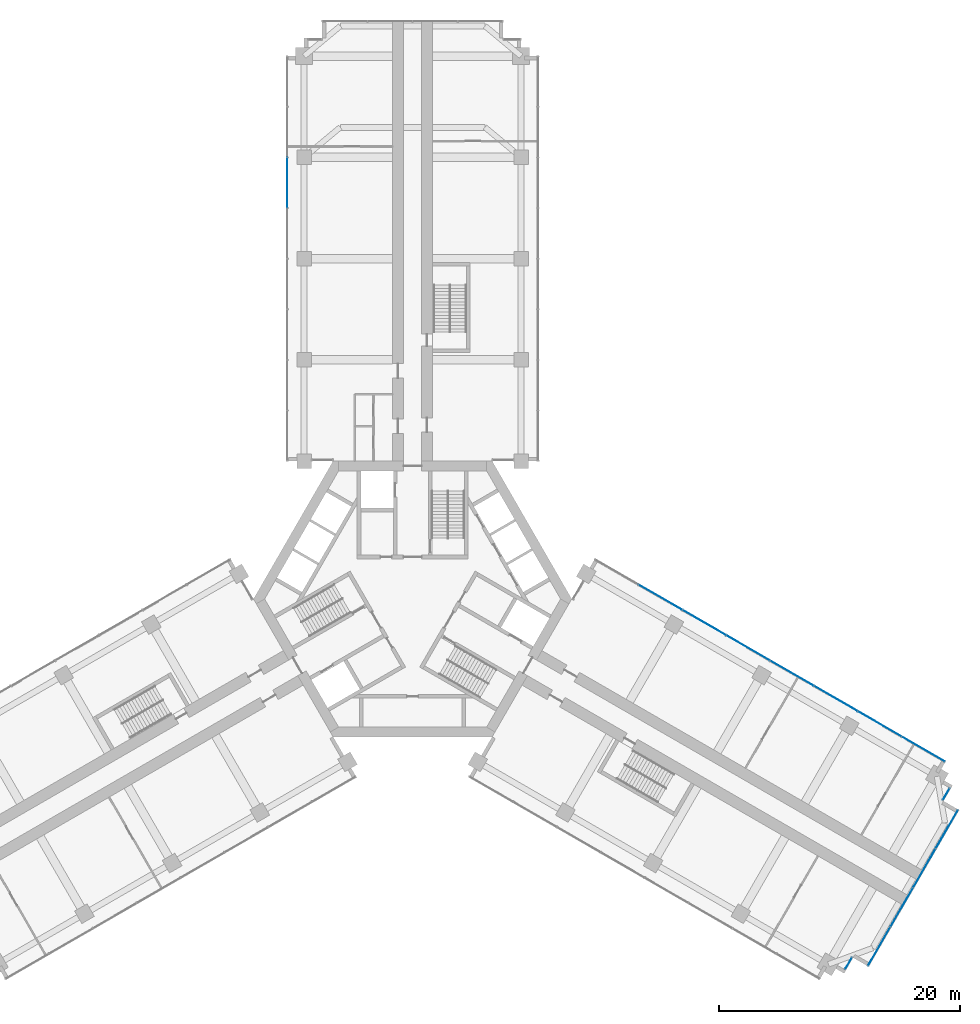
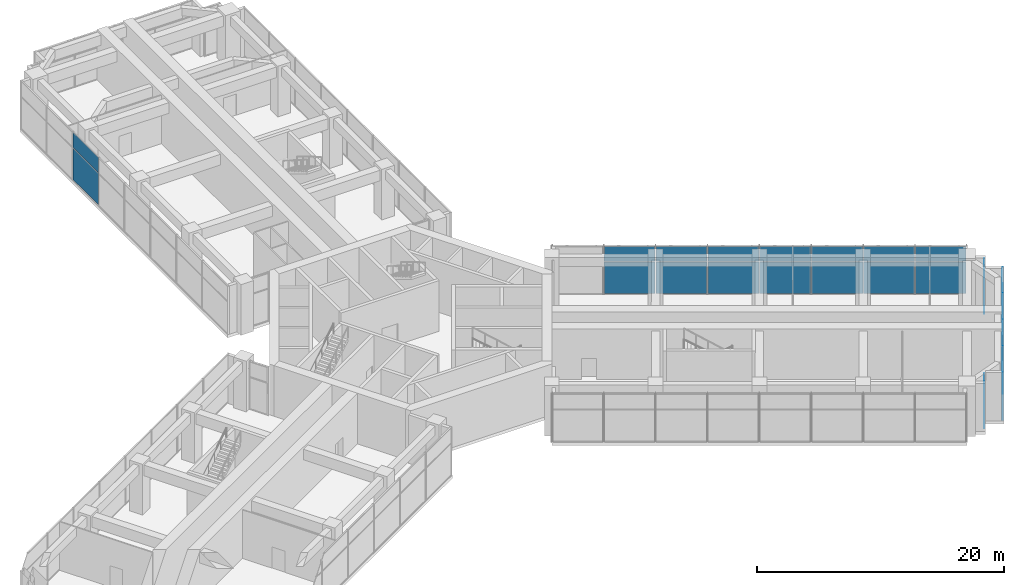
# One storey, part 14 of 20: 28 plates, 5 elements without a shape of their own.
"""IFC4 building model written with IfcOpenShell, lengths in metres."""

from ifc_helpers import new_model, si_unit, direction, frame, origin, origin_2d, place, context, subcontext, project, spatial, rectangle, extrude, material, layer, layer_set, type_object, element, aggregate, save


model = new_model("IFC4")

# Units and contexts
model_context = context("Model", 3, precision=1e-05, world=origin(), true_north=direction((0.0, 1.0)))
body_context = subcontext(model_context, "Body", "Model", "MODEL_VIEW")
ifc_project = project(units=[si_unit("LENGTHUNIT", "METRE"), si_unit("AREAUNIT", "SQUARE_METRE"), si_unit("VOLUMEUNIT", "CUBIC_METRE"), si_unit("PLANEANGLEUNIT", "RADIAN"), si_unit("MASSUNIT", "GRAM", prefix="KILO")], contexts=[model_context])

# Site, building, storey
site_placement = place(None, origin())
site = spatial("IfcSite", under=ifc_project, at=site_placement, CompositionType="ELEMENT")
building_placement = place(site_placement, origin())
building = spatial("IfcBuilding", under=site, at=building_placement, Name="Impinga Residences", CompositionType="ELEMENT")
storey_placement = place(building_placement, frame((0.0, 0.0, 101.0)))
storey = spatial("IfcBuildingStorey", under=building, at=storey_placement, Name="L24", CompositionType="ELEMENT", Elevation=101.0)

# Curtain wall, plates
ifc_material_1 = material(Name="Aluminium stick curtain wall", Category="aluminium")
curtain_wall_type = type_object("IfcCurtainWallType", Name="CW2 sky amenity curtain wall", PredefinedType="USERDEFINED", material=ifc_material_1)
curtain_wall_1_placement = place(storey_placement, origin())
curtain_wall_1 = element("IfcCurtainWall", 1, at=curtain_wall_1_placement, inside=storey, type_object=curtain_wall_type, Name="Curtain wall CW2 L24", ObjectType="STICK CURTAIN WALL", PredefinedType="USERDEFINED")
ifc_material_2 = material(Name="Clear double glazing", Category="glass")
ifc_layer = layer(ifc_material_2, 0.028076171875)
ifc_layer_set = layer_set([ifc_layer], Name="CW2-P clear double glazed panel 28")
plate_type = type_object("IfcPlateType", Name="CW2-P clear double glazed panel 28", PredefinedType="CURTAIN_PANEL", material=ifc_layer_set)
plate_1_placement = place(storey_placement, frame((-10.39990234375, 34.531494140625, 0.06005859375), z_axis=(0.0, 0.0, 1.0), x_axis=(0.0, 1.0, 0.0)))
plate_1 = element("IfcPlate", 2, at=plate_1_placement, type_object=plate_type, Name="CW2 panel 6.1", PredefinedType="CURTAIN_PANEL", context=body_context, shape_type="SweptSolid", body=[
    extrude(rectangle(XDim=4.139892578125, YDim=0.028076171875, at=origin_2d()), origin(), (0.0, 0.0, 1.0), 3.110107421875),
])
plate_2_placement = place(storey_placement, frame((-10.39990234375, 34.531494140625, 3.22998046875), z_axis=(0.0, 0.0, 1.0), x_axis=(0.0, 1.0, 0.0)))
plate_2 = element("IfcPlate", 3, at=plate_2_placement, type_object=plate_type, Name="CW2 panel 6.2", PredefinedType="CURTAIN_PANEL", context=body_context, shape_type="SweptSolid", body=[
    extrude(rectangle(XDim=4.139892578125, YDim=0.028076171875, at=origin_2d()), origin(), (0.0, 0.0, 1.0), 1.489990234375),
])
aggregate(curtain_wall_1, [plate_1, plate_2])

curtain_wall_2_placement = place(storey_placement, origin())
curtain_wall_2 = element("IfcCurtainWall", 4, at=curtain_wall_2_placement, inside=storey, type_object=curtain_wall_type, Name="Curtain wall CW2 L24", ObjectType="STICK CURTAIN WALL", PredefinedType="USERDEFINED")
plate_3_placement = place(storey_placement, frame((20.555908203125, 0.140869140625, 0.06005859375), z_axis=(0.0, 0.0, 1.0), x_axis=(0.866025407005, -0.499999994423, 0.0)))
plate_3 = element("IfcPlate", 5, at=plate_3_placement, type_object=plate_type, Name="CW2 panel 2.1", PredefinedType="CURTAIN_PANEL", context=body_context, shape_type="SweptSolid", body=[
    extrude(rectangle(XDim=4.139892578125, YDim=0.028076171875, at=origin_2d()), origin(), (0.0, 0.0, 1.0), 3.110107421875),
])
plate_4_placement = place(storey_placement, frame((20.555908203125, 0.140869140625, 3.22998046875), z_axis=(0.0, 0.0, 1.0), x_axis=(0.866025407005, -0.499999994423, 0.0)))
plate_4 = element("IfcPlate", 6, at=plate_4_placement, type_object=plate_type, Name="CW2 panel 2.2", PredefinedType="CURTAIN_PANEL", context=body_context, shape_type="SweptSolid", body=[
    extrude(rectangle(XDim=4.139892578125, YDim=0.028076171875, at=origin_2d()), origin(), (0.0, 0.0, 1.0), 1.489990234375),
])
plate_5_placement = place(storey_placement, frame((24.193359375, -1.958984375, 0.06005859375), z_axis=(0.0, 0.0, 1.0), x_axis=(0.866025407005, -0.499999994423, 0.0)))
plate_5 = element("IfcPlate", 7, at=plate_5_placement, type_object=plate_type, Name="CW2 panel 3.1", PredefinedType="CURTAIN_PANEL", context=body_context, shape_type="SweptSolid", body=[
    extrude(rectangle(XDim=4.139892578125, YDim=0.028076171875, at=origin_2d()), origin(), (0.0, 0.0, 1.0), 3.110107421875),
])
plate_6_placement = place(storey_placement, frame((24.193359375, -1.958984375, 3.22998046875), z_axis=(0.0, 0.0, 1.0), x_axis=(0.866025407005, -0.499999994423, 0.0)))
plate_6 = element("IfcPlate", 8, at=plate_6_placement, type_object=plate_type, Name="CW2 panel 3.2", PredefinedType="CURTAIN_PANEL", context=body_context, shape_type="SweptSolid", body=[
    extrude(rectangle(XDim=4.139892578125, YDim=0.028076171875, at=origin_2d()), origin(), (0.0, 0.0, 1.0), 1.489990234375),
])
plate_7_placement = place(storey_placement, frame((27.83056640625, -4.05908203125, 0.06005859375), z_axis=(0.0, 0.0, 1.0), x_axis=(0.866025407005, -0.499999994423, 0.0)))
plate_7 = element("IfcPlate", 9, at=plate_7_placement, type_object=plate_type, Name="CW2 panel 4.1", PredefinedType="CURTAIN_PANEL", context=body_context, shape_type="SweptSolid", body=[
    extrude(rectangle(XDim=4.139892578125, YDim=0.028076171875, at=origin_2d()), origin(), (0.0, 0.0, 1.0), 3.110107421875),
])
plate_8_placement = place(storey_placement, frame((27.83056640625, -4.05908203125, 3.22998046875), z_axis=(0.0, 0.0, 1.0), x_axis=(0.866025407005, -0.499999994423, 0.0)))
plate_8 = element("IfcPlate", 10, at=plate_8_placement, type_object=plate_type, Name="CW2 panel 4.2", PredefinedType="CURTAIN_PANEL", context=body_context, shape_type="SweptSolid", body=[
    extrude(rectangle(XDim=4.139892578125, YDim=0.028076171875, at=origin_2d()), origin(), (0.0, 0.0, 1.0), 1.489990234375),
])
plate_9_placement = place(storey_placement, frame((31.4677734375, -6.1591796875, 0.06005859375), z_axis=(0.0, 0.0, 1.0), x_axis=(0.866025407005, -0.499999994423, 0.0)))
plate_9 = element("IfcPlate", 11, at=plate_9_placement, type_object=plate_type, Name="CW2 panel 5.1", PredefinedType="CURTAIN_PANEL", context=body_context, shape_type="SweptSolid", body=[
    extrude(rectangle(XDim=4.139892578125, YDim=0.028076171875, at=origin_2d()), origin(), (0.0, 0.0, 1.0), 3.110107421875),
])
plate_10_placement = place(storey_placement, frame((31.4677734375, -6.1591796875, 3.22998046875), z_axis=(0.0, 0.0, 1.0), x_axis=(0.866025407005, -0.499999994423, 0.0)))
plate_10 = element("IfcPlate", 12, at=plate_10_placement, type_object=plate_type, Name="CW2 panel 5.2", PredefinedType="CURTAIN_PANEL", context=body_context, shape_type="SweptSolid", body=[
    extrude(rectangle(XDim=4.139892578125, YDim=0.028076171875, at=origin_2d()), origin(), (0.0, 0.0, 1.0), 1.489990234375),
])
plate_11_placement = place(storey_placement, frame((35.105224609375, -8.259033203125, 0.06005859375), z_axis=(0.0, 0.0, 1.0), x_axis=(0.866025407005, -0.499999994423, 0.0)))
plate_11 = element("IfcPlate", 13, at=plate_11_placement, type_object=plate_type, Name="CW2 panel 6.1", PredefinedType="CURTAIN_PANEL", context=body_context, shape_type="SweptSolid", body=[
    extrude(rectangle(XDim=4.139892578125, YDim=0.028076171875, at=origin_2d()), origin(), (0.0, 0.0, 1.0), 3.110107421875),
])
plate_12_placement = place(storey_placement, frame((35.105224609375, -8.259033203125, 3.22998046875), z_axis=(0.0, 0.0, 1.0), x_axis=(0.866025407005, -0.499999994423, 0.0)))
plate_12 = element("IfcPlate", 14, at=plate_12_placement, type_object=plate_type, Name="CW2 panel 6.2", PredefinedType="CURTAIN_PANEL", context=body_context, shape_type="SweptSolid", body=[
    extrude(rectangle(XDim=4.139892578125, YDim=0.028076171875, at=origin_2d()), origin(), (0.0, 0.0, 1.0), 1.489990234375),
])
plate_13_placement = place(storey_placement, frame((38.742431640625, -10.359130859375, 0.06005859375), z_axis=(0.0, 0.0, 1.0), x_axis=(0.866025407005, -0.499999994423, 0.0)))
plate_13 = element("IfcPlate", 15, at=plate_13_placement, type_object=plate_type, Name="CW2 panel 7.1", PredefinedType="CURTAIN_PANEL", context=body_context, shape_type="SweptSolid", body=[
    extrude(rectangle(XDim=4.139892578125, YDim=0.028076171875, at=origin_2d()), origin(), (0.0, 0.0, 1.0), 3.110107421875),
])
plate_14_placement = place(storey_placement, frame((38.742431640625, -10.359130859375, 3.22998046875), z_axis=(0.0, 0.0, 1.0), x_axis=(0.866025407005, -0.499999994423, 0.0)))
plate_14 = element("IfcPlate", 16, at=plate_14_placement, type_object=plate_type, Name="CW2 panel 7.2", PredefinedType="CURTAIN_PANEL", context=body_context, shape_type="SweptSolid", body=[
    extrude(rectangle(XDim=4.139892578125, YDim=0.028076171875, at=origin_2d()), origin(), (0.0, 0.0, 1.0), 1.489990234375),
])
plate_15_placement = place(storey_placement, frame((42.36669921875, -12.45166015625, 0.06005859375), z_axis=(0.0, 0.0, 1.0), x_axis=(0.866025407005, -0.499999994423, 0.0)))
plate_15 = element("IfcPlate", 17, at=plate_15_placement, type_object=plate_type, Name="CW2 panel 8.1", PredefinedType="CURTAIN_PANEL", context=body_context, shape_type="SweptSolid", body=[
    extrude(rectangle(XDim=4.110107421875, YDim=0.028076171875, at=origin_2d()), origin(), (0.0, 0.0, 1.0), 3.110107421875),
])
plate_16_placement = place(storey_placement, frame((42.36669921875, -12.45166015625, 3.22998046875), z_axis=(0.0, 0.0, 1.0), x_axis=(0.866025407005, -0.499999994423, 0.0)))
plate_16 = element("IfcPlate", 18, at=plate_16_placement, type_object=plate_type, Name="CW2 panel 8.2", PredefinedType="CURTAIN_PANEL", context=body_context, shape_type="SweptSolid", body=[
    extrude(rectangle(XDim=4.110107421875, YDim=0.028076171875, at=origin_2d()), origin(), (0.0, 0.0, 1.0), 1.489990234375),
])
aggregate(curtain_wall_2, [plate_3, plate_4, plate_5, plate_6, plate_7, plate_8, plate_9, plate_10, plate_11, plate_12, plate_13, plate_14, plate_15, plate_16])

curtain_wall_3_placement = place(storey_placement, origin())
curtain_wall_3 = element("IfcCurtainWall", 19, at=curtain_wall_3_placement, inside=storey, type_object=curtain_wall_type, Name="Curtain wall CW2 L24", ObjectType="STICK CURTAIN WALL", PredefinedType="USERDEFINED")
plate_17_placement = place(storey_placement, frame((44.260986328125, -16.200927734375, 0.06005859375), z_axis=(0.0, 0.0, 1.0), x_axis=(-0.50000017485, -0.866025302835, 0.0)))
plate_17 = element("IfcPlate", 20, at=plate_17_placement, type_object=plate_type, Name="CW2 panel 1.1", PredefinedType="CURTAIN_PANEL", context=body_context, shape_type="SweptSolid", body=[
    extrude(rectangle(XDim=1.080078125, YDim=0.028076171875, at=origin_2d()), origin(), (0.0, 0.0, 1.0), 3.110107421875),
])
plate_18_placement = place(storey_placement, frame((44.260986328125, -16.200927734375, 3.22998046875), z_axis=(0.0, 0.0, 1.0), x_axis=(-0.50000017485, -0.866025302835, 0.0)))
plate_18 = element("IfcPlate", 21, at=plate_18_placement, type_object=plate_type, Name="CW2 panel 1.2", PredefinedType="CURTAIN_PANEL", context=body_context, shape_type="SweptSolid", body=[
    extrude(rectangle(XDim=1.080078125, YDim=0.028076171875, at=origin_2d()), origin(), (0.0, 0.0, 1.0), 1.489990234375),
])
aggregate(curtain_wall_3, [plate_17, plate_18])

curtain_wall_4_placement = place(storey_placement, origin())
curtain_wall_4 = element("IfcCurtainWall", 22, at=curtain_wall_4_placement, inside=storey, type_object=curtain_wall_type, Name="Curtain wall CW2 L24", ObjectType="STICK CURTAIN WALL", PredefinedType="USERDEFINED")
plate_19_placement = place(storey_placement, frame((44.31494140625, -19.107421875, 0.06005859375), z_axis=(0.0, 0.0, 1.0), x_axis=(-0.500000001632, -0.866025402842, 0.0)))
plate_19 = element("IfcPlate", 23, at=plate_19_placement, type_object=plate_type, Name="CW2 panel 1.1", PredefinedType="CURTAIN_PANEL", context=body_context, shape_type="SweptSolid", body=[
    extrude(rectangle(XDim=3.659912109375, YDim=0.028076171875, at=origin_2d()), origin(), (0.0, 0.0, 1.0), 3.110107421875),
])
plate_20_placement = place(storey_placement, frame((44.31494140625, -19.107421875, 3.22998046875), z_axis=(0.0, 0.0, 1.0), x_axis=(-0.500000001632, -0.866025402842, 0.0)))
plate_20 = element("IfcPlate", 24, at=plate_20_placement, type_object=plate_type, Name="CW2 panel 1.2", PredefinedType="CURTAIN_PANEL", context=body_context, shape_type="SweptSolid", body=[
    extrude(rectangle(XDim=3.659912109375, YDim=0.028076171875, at=origin_2d()), origin(), (0.0, 0.0, 1.0), 1.489990234375),
])
plate_21_placement = place(storey_placement, frame((42.447509765625, -22.342041015625, 0.06005859375), z_axis=(0.0, 0.0, 1.0), x_axis=(-0.500000001632, -0.866025402842, 0.0)))
plate_21 = element("IfcPlate", 25, at=plate_21_placement, type_object=plate_type, Name="CW2 panel 2.1", PredefinedType="CURTAIN_PANEL", context=body_context, shape_type="SweptSolid", body=[
    extrude(rectangle(XDim=3.68994140625, YDim=0.028076171875, at=origin_2d()), origin(), (0.0, 0.0, 1.0), 3.110107421875),
])
plate_22_placement = place(storey_placement, frame((42.447509765625, -22.342041015625, 3.22998046875), z_axis=(0.0, 0.0, 1.0), x_axis=(-0.500000001632, -0.866025402842, 0.0)))
plate_22 = element("IfcPlate", 26, at=plate_22_placement, type_object=plate_type, Name="CW2 panel 2.2", PredefinedType="CURTAIN_PANEL", context=body_context, shape_type="SweptSolid", body=[
    extrude(rectangle(XDim=3.68994140625, YDim=0.028076171875, at=origin_2d()), origin(), (0.0, 0.0, 1.0), 1.489990234375),
])
plate_23_placement = place(storey_placement, frame((40.572509765625, -25.589599609375, 0.06005859375), z_axis=(0.0, 0.0, 1.0), x_axis=(-0.500000001632, -0.866025402842, 0.0)))
plate_23 = element("IfcPlate", 27, at=plate_23_placement, type_object=plate_type, Name="CW2 panel 3.1", PredefinedType="CURTAIN_PANEL", context=body_context, shape_type="SweptSolid", body=[
    extrude(rectangle(XDim=3.68994140625, YDim=0.028076171875, at=origin_2d()), origin(), (0.0, 0.0, 1.0), 3.110107421875),
])
plate_24_placement = place(storey_placement, frame((40.572509765625, -25.589599609375, 3.22998046875), z_axis=(0.0, 0.0, 1.0), x_axis=(-0.500000001632, -0.866025402842, 0.0)))
plate_24 = element("IfcPlate", 28, at=plate_24_placement, type_object=plate_type, Name="CW2 panel 3.2", PredefinedType="CURTAIN_PANEL", context=body_context, shape_type="SweptSolid", body=[
    extrude(rectangle(XDim=3.68994140625, YDim=0.028076171875, at=origin_2d()), origin(), (0.0, 0.0, 1.0), 1.489990234375),
])
plate_25_placement = place(storey_placement, frame((38.704833984375, -28.82421875, 0.06005859375), z_axis=(0.0, 0.0, 1.0), x_axis=(-0.500000001632, -0.866025402842, 0.0)))
plate_25 = element("IfcPlate", 29, at=plate_25_placement, type_object=plate_type, Name="CW2 panel 4.1", PredefinedType="CURTAIN_PANEL", context=body_context, shape_type="SweptSolid", body=[
    extrude(rectangle(XDim=3.659912109375, YDim=0.028076171875, at=origin_2d()), origin(), (0.0, 0.0, 1.0), 3.110107421875),
])
plate_26_placement = place(storey_placement, frame((38.704833984375, -28.82421875, 3.22998046875), z_axis=(0.0, 0.0, 1.0), x_axis=(-0.500000001632, -0.866025402842, 0.0)))
plate_26 = element("IfcPlate", 30, at=plate_26_placement, type_object=plate_type, Name="CW2 panel 4.2", PredefinedType="CURTAIN_PANEL", context=body_context, shape_type="SweptSolid", body=[
    extrude(rectangle(XDim=3.659912109375, YDim=0.028076171875, at=origin_2d()), origin(), (0.0, 0.0, 1.0), 1.489990234375),
])
aggregate(curtain_wall_4, [plate_19, plate_20, plate_21, plate_22, plate_23, plate_24, plate_25, plate_26])

curtain_wall_5_placement = place(storey_placement, origin())
curtain_wall_5 = element("IfcCurtainWall", 31, at=curtain_wall_5_placement, inside=storey, type_object=curtain_wall_type, Name="Curtain wall CW2 L24", ObjectType="STICK CURTAIN WALL", PredefinedType="USERDEFINED")
plate_27_placement = place(storey_placement, frame((36.160888671875, -30.23046875, 0.06005859375), z_axis=(0.0, 0.0, 1.0), x_axis=(-0.499999813995, -0.866025511175, 0.0)))
plate_27 = element("IfcPlate", 32, at=plate_27_placement, type_object=plate_type, Name="CW2 panel 1.1", PredefinedType="CURTAIN_PANEL", context=body_context, shape_type="SweptSolid", body=[
    extrude(rectangle(XDim=1.080078125, YDim=0.028076171875, at=origin_2d()), origin(), (0.0, 0.0, 1.0), 3.110107421875),
])
plate_28_placement = place(storey_placement, frame((36.160888671875, -30.23046875, 3.22998046875), z_axis=(0.0, 0.0, 1.0), x_axis=(-0.499999813995, -0.866025511175, 0.0)))
plate_28 = element("IfcPlate", 33, at=plate_28_placement, type_object=plate_type, Name="CW2 panel 1.2", PredefinedType="CURTAIN_PANEL", context=body_context, shape_type="SweptSolid", body=[
    extrude(rectangle(XDim=1.080078125, YDim=0.028076171875, at=origin_2d()), origin(), (0.0, 0.0, 1.0), 1.489990234375),
])
aggregate(curtain_wall_5, [plate_27, plate_28])

save(model, "model.ifc")
